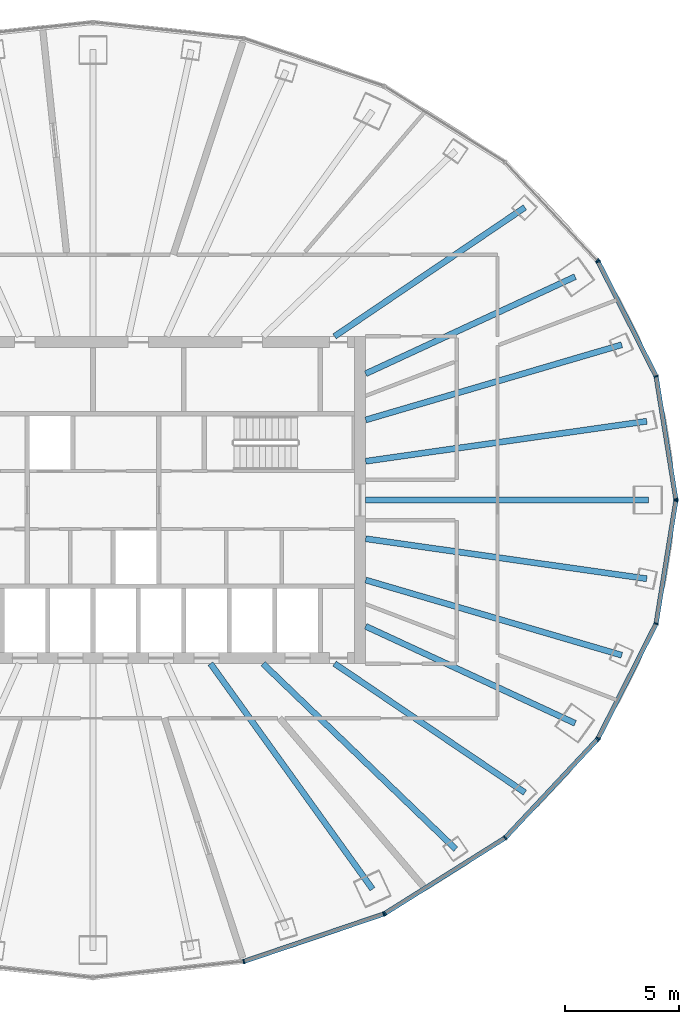
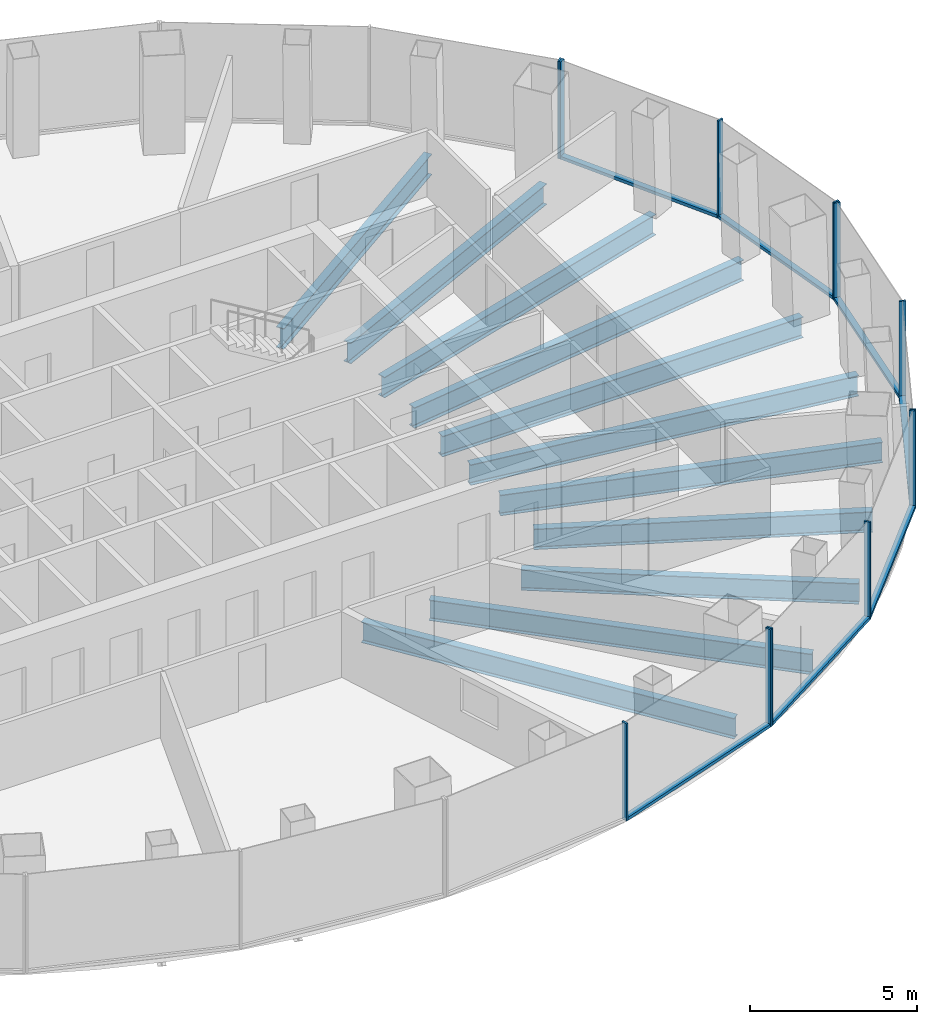
# One storey, part 4 of 12: 19 members, 11 beams, 5 elements without a shape of their own.
"""IFC4 building model written with IfcOpenShell, lengths in metres."""

from ifc_helpers import new_model, si_unit, direction, frame, origin, origin_2d, place, context, subcontext, project, spatial, rectangle, i_section, extrude, material, layer, layer_set, material_profile, profile_set, type_object, element, aggregate, save


model = new_model("IFC4")

# Units and contexts
model_context = context("Model", 3, precision=1e-05, world=origin(), true_north=direction((0.0, 1.0)))
body_context = subcontext(model_context, "Body", "Model", "MODEL_VIEW")
ifc_project = project(units=[si_unit("LENGTHUNIT", "METRE"), si_unit("AREAUNIT", "SQUARE_METRE"), si_unit("VOLUMEUNIT", "CUBIC_METRE"), si_unit("PLANEANGLEUNIT", "RADIAN"), si_unit("MASSUNIT", "GRAM", prefix="KILO")], contexts=[model_context])

# Site, building, storey
site_placement = place(None, origin())
site = spatial("IfcSite", under=ifc_project, at=site_placement, CompositionType="ELEMENT")
building_placement = place(site_placement, origin())
building = spatial("IfcBuilding", under=site, at=building_placement, Name="Siaravel Broadcast Tower", CompositionType="ELEMENT")
storey_placement = place(building_placement, frame((0.0, 0.0, 115.60009765625)))
storey = spatial("IfcBuildingStorey", under=building, at=storey_placement, Name="L27", CompositionType="ELEMENT", Elevation=115.60009765625)

# Beams
ifc_material_1 = material(Name="Steel S355", Category="steel")
ifc_material_profile_1 = material_profile(ifc_material_1, i_section(OverallWidth=0.26513671875, OverallDepth=0.75390625, WebThickness=0.0126953125, FlangeThickness=0.017578125, FilletRadius=0.0166015625, at=origin_2d()))
ifc_profile_set_1 = profile_set([ifc_material_profile_1], Name="Steel S355")
beam_type = type_object("IfcBeamType", Name="BM-UB 762x267x147", PredefinedType="BEAM", material=ifc_profile_set_1)
beam_1_placement = place(storey_placement, frame((24.44140625, 0.0, -0.527099609375), z_axis=(-1.0, 0.0, 0.0), x_axis=(0.0, -1.0, 0.0)))
element("IfcBeam", 1, at=beam_1_placement, inside=storey, type_object=beam_type, Name="Radial beam RB01", PredefinedType="BEAM", context=body_context, shape_type="SweptSolid", body=[
    extrude(i_section(OverallWidth=0.26513671875, OverallDepth=0.75390625, WebThickness=0.0126953125, FlangeThickness=0.017578125, FilletRadius=0.0166015625, at=origin_2d()), origin(), (0.0, 0.0, 1.0), 12.44140625),
])
beam_2_placement = place(storey_placement, frame((24.37109375, 3.464599609375, -0.527099609375), z_axis=(-0.990044616, -0.140753896, 0.0), x_axis=(0.140753896, -0.990044616, 0.0)))
element("IfcBeam", 2, at=beam_2_placement, inside=storey, type_object=beam_type, Name="Radial beam RB02", PredefinedType="BEAM", context=body_context, shape_type="SweptSolid", body=[
    extrude(i_section(OverallWidth=0.26513671875, OverallDepth=0.75390625, WebThickness=0.0126953125, FlangeThickness=0.017578125, FilletRadius=0.0166015625, at=origin_2d()), origin(), (0.0, 0.0, 1.0), 12.49560546875),
])
beam_3_placement = place(storey_placement, frame((23.27001953125, 6.83056640625, -0.527099609375), z_axis=(-0.959517615, -0.281648622, 0.0), x_axis=(0.281648622, -0.959517615, 0.0)))
element("IfcBeam", 3, at=beam_3_placement, inside=storey, type_object=beam_type, Name="Radial beam RB03", PredefinedType="BEAM", context=body_context, shape_type="SweptSolid", body=[
    extrude(i_section(OverallWidth=0.26513671875, OverallDepth=0.75390625, WebThickness=0.0126953125, FlangeThickness=0.017578125, FilletRadius=0.0166015625, at=origin_2d()), origin(), (0.0, 0.0, 1.0), 11.74560546875),
])
beam_4_placement = place(storey_placement, frame((21.22021484375, 9.826904296875, -0.527099609375), z_axis=(-0.907423475, -0.420217369, 0.0), x_axis=(0.420217369, -0.907423475, 0.0)))
element("IfcBeam", 4, at=beam_4_placement, inside=storey, type_object=beam_type, Name="Radial beam RB04", PredefinedType="BEAM", context=body_context, shape_type="SweptSolid", body=[
    extrude(i_section(OverallWidth=0.26513671875, OverallDepth=0.75390625, WebThickness=0.0126953125, FlangeThickness=0.017578125, FilletRadius=0.0166015625, at=origin_2d()), origin(), (0.0, 0.0, 1.0), 10.160888671875),
])
beam_5_placement = place(storey_placement, frame((19.0068359375, 12.87548828125, -0.527099609375), z_axis=(-0.827911102, -0.560859348, 0.0), x_axis=(0.560859348, -0.827911102, 0.0)))
element("IfcBeam", 5, at=beam_5_placement, inside=storey, type_object=beam_type, Name="Radial beam RB05", PredefinedType="BEAM", context=body_context, shape_type="SweptSolid", body=[
    extrude(i_section(OverallWidth=0.26513671875, OverallDepth=0.75390625, WebThickness=0.0126953125, FlangeThickness=0.017578125, FilletRadius=0.0166015625, at=origin_2d()), origin(), (0.0, 0.0, 1.0), 10.119384765625),
])
beam_6_placement = place(storey_placement, frame((12.30029296875, -17.123779296875, -0.527099609375), z_axis=(-0.583402172, 0.812183419, 0.0), x_axis=(-0.812183419, -0.583402172, 0.0)))
element("IfcBeam", 6, at=beam_6_placement, inside=storey, type_object=beam_type, Name="Radial beam RB31", PredefinedType="BEAM", context=body_context, shape_type="SweptSolid", body=[
    extrude(i_section(OverallWidth=0.26513671875, OverallDepth=0.75390625, WebThickness=0.0126953125, FlangeThickness=0.017578125, FilletRadius=0.0166015625, at=origin_2d()), origin(), (0.0, 0.0, 1.0), 12.21875),
])
beam_7_placement = place(storey_placement, frame((15.964599609375, -15.3671875, -0.527099609375), z_axis=(-0.720463289, 0.693493078, 0.0), x_axis=(-0.693493078, -0.720463289, 0.0)))
element("IfcBeam", 7, at=beam_7_placement, inside=storey, type_object=beam_type, Name="Radial beam RB32", PredefinedType="BEAM", context=body_context, shape_type="SweptSolid", body=[
    extrude(i_section(OverallWidth=0.26513671875, OverallDepth=0.75390625, WebThickness=0.0126953125, FlangeThickness=0.017578125, FilletRadius=0.0166015625, at=origin_2d()), origin(), (0.0, 0.0, 1.0), 11.77685546875),
])
beam_8_placement = place(storey_placement, frame((19.0068359375, -12.87548828125, -0.527099609375), z_axis=(-0.827911102, 0.560859348, 0.0), x_axis=(-0.560859348, -0.827911102, 0.0)))
element("IfcBeam", 8, at=beam_8_placement, inside=storey, type_object=beam_type, Name="Radial beam RB33", PredefinedType="BEAM", context=body_context, shape_type="SweptSolid", body=[
    extrude(i_section(OverallWidth=0.26513671875, OverallDepth=0.75390625, WebThickness=0.0126953125, FlangeThickness=0.017578125, FilletRadius=0.0166015625, at=origin_2d()), origin(), (0.0, 0.0, 1.0), 10.119384765625),
])
beam_9_placement = place(storey_placement, frame((21.22021484375, -9.826904296875, -0.527099609375), z_axis=(-0.907423475, 0.420217369, 0.0), x_axis=(-0.420217369, -0.907423475, 0.0)))
element("IfcBeam", 9, at=beam_9_placement, inside=storey, type_object=beam_type, Name="Radial beam RB34", PredefinedType="BEAM", context=body_context, shape_type="SweptSolid", body=[
    extrude(i_section(OverallWidth=0.26513671875, OverallDepth=0.75390625, WebThickness=0.0126953125, FlangeThickness=0.017578125, FilletRadius=0.0166015625, at=origin_2d()), origin(), (0.0, 0.0, 1.0), 10.160888671875),
])
beam_10_placement = place(storey_placement, frame((23.27001953125, -6.83056640625, -0.527099609375), z_axis=(-0.959517615, 0.281648622, 0.0), x_axis=(-0.281648622, -0.959517615, 0.0)))
element("IfcBeam", 10, at=beam_10_placement, inside=storey, type_object=beam_type, Name="Radial beam RB35", PredefinedType="BEAM", context=body_context, shape_type="SweptSolid", body=[
    extrude(i_section(OverallWidth=0.26513671875, OverallDepth=0.75390625, WebThickness=0.0126953125, FlangeThickness=0.017578125, FilletRadius=0.0166015625, at=origin_2d()), origin(), (0.0, 0.0, 1.0), 11.74560546875),
])
beam_11_placement = place(storey_placement, frame((24.37109375, -3.464599609375, -0.527099609375), z_axis=(-0.990044616, 0.140753896, 0.0), x_axis=(-0.140753896, -0.990044616, 0.0)))
element("IfcBeam", 11, at=beam_11_placement, inside=storey, type_object=beam_type, Name="Radial beam RB36", PredefinedType="BEAM", context=body_context, shape_type="SweptSolid", body=[
    extrude(i_section(OverallWidth=0.26513671875, OverallDepth=0.75390625, WebThickness=0.0126953125, FlangeThickness=0.017578125, FilletRadius=0.0166015625, at=origin_2d()), origin(), (0.0, 0.0, 1.0), 12.49560546875),
])

# Curtain wall, members
ifc_material_2 = material(Name="Aluminium 6063-T6", Category="aluminium")
ifc_layer = layer(ifc_material_2, 0.199951171875)
ifc_layer_set = layer_set([ifc_layer], Name="Aluminium 6063-T6")
curtain_wall_type = type_object("IfcCurtainWallType", Name="Unitised curtain wall, zone 2", PredefinedType="NOTDEFINED", material=ifc_layer_set)
curtain_wall_1_placement = place(storey_placement, origin())
curtain_wall_1 = element("IfcCurtainWall", 12, at=curtain_wall_1_placement, inside=storey, type_object=curtain_wall_type, Name="L27 Unitised curtain wall, zone 2 01", PredefinedType="NOTDEFINED")
ifc_material_profile_2 = material_profile(ifc_material_2, rectangle(XDim=0.199951171875, YDim=0.06494140625, at=origin_2d()))
ifc_profile_set_2 = profile_set([ifc_material_profile_2], Name="Aluminium 6063-T6")
member_type_1 = type_object("IfcMemberType", Name="CW-Z2 mullion", PredefinedType="MULLION", material=ifc_profile_set_2)
member_1_placement = place(storey_placement, frame((25.650146484375, 0.031982421875, 0.0), z_axis=(0.0, 0.0, 1.0), x_axis=(-0.987329151, -0.158685687, 0.0)))
member_1 = element("IfcMember", 13, at=member_1_placement, type_object=member_type_1, Name="CW-Z2 mullion 1", PredefinedType="MULLION", context=body_context, shape_type="SweptSolid", body=[
    extrude(rectangle(XDim=0.199951171875, YDim=0.06494140625, at=origin_2d()), origin(), (0.0, 0.0, 1.0), 3.5498046875),
])
member_2_placement = place(storey_placement, frame((24.7802734375, 5.44384765625, 0.0), z_axis=(0.0, 0.0, 1.0), x_axis=(-0.951177123, -0.308645559, 0.0)))
member_2 = element("IfcMember", 14, at=member_2_placement, type_object=member_type_1, Name="CW-Z2 mullion 2", PredefinedType="MULLION", context=body_context, shape_type="SweptSolid", body=[
    extrude(rectangle(XDim=0.199951171875, YDim=0.06494140625, at=origin_2d()), origin(), (0.0, 0.0, 1.0), 3.5498046875),
])
member_3_placement = place(storey_placement, frame((22.23046875, 10.486572265625, 0.0), z_axis=(0.0, 0.0, 1.0), x_axis=(-0.892391899, -0.451261231, 0.0)))
member_3 = element("IfcMember", 15, at=member_3_placement, type_object=member_type_1, Name="CW-Z2 mullion 3", PredefinedType="MULLION", context=body_context, shape_type="SweptSolid", body=[
    extrude(rectangle(XDim=0.199951171875, YDim=0.06494140625, at=origin_2d()), origin(), (0.0, 0.0, 1.0), 3.5498046875),
])

# Curtain wall, member
curtain_wall_2_placement = place(storey_placement, origin())
curtain_wall_2 = element("IfcCurtainWall", 16, at=curtain_wall_2_placement, inside=storey, type_object=curtain_wall_type, Name="L27 Unitised curtain wall, zone 2 02", PredefinedType="NOTDEFINED")
member_4_placement = place(storey_placement, frame((22.193603515625, 10.539306640625, 0.0), z_axis=(0.0, 0.0, 1.0), x_axis=(-0.729804977, -0.683655392, 0.0)))
member_4 = element("IfcMember", 17, at=member_4_placement, type_object=member_type_1, Name="CW-Z2 mullion 1", PredefinedType="MULLION", context=body_context, shape_type="SweptSolid", body=[
    extrude(rectangle(XDim=0.199951171875, YDim=0.06494140625, at=origin_2d()), origin(), (0.0, 0.0, 1.0), 3.5498046875),
])
aggregate(curtain_wall_2, [member_4])

# Curtain wall, members
curtain_wall_3_placement = place(storey_placement, origin())
curtain_wall_3 = element("IfcCurtainWall", 18, at=curtain_wall_3_placement, inside=storey, type_object=curtain_wall_type, Name="L27 Unitised curtain wall, zone 2 10", PredefinedType="NOTDEFINED")
member_5_placement = place(storey_placement, frame((6.637939453125, -20.307861328125, 0.0), z_axis=(0.0, 0.0, 1.0), x_axis=(-0.215557996, 0.97649104, 0.0)))
member_5 = element("IfcMember", 19, at=member_5_placement, type_object=member_type_1, Name="CW-Z2 mullion 2", PredefinedType="MULLION", context=body_context, shape_type="SweptSolid", body=[
    extrude(rectangle(XDim=0.199951171875, YDim=0.06494140625, at=origin_2d()), origin(), (0.0, 0.0, 1.0), 3.5498046875),
])
member_6_placement = place(storey_placement, frame((12.793212890625, -18.21923828125, 0.0), z_axis=(0.0, 0.0, 1.0), x_axis=(-0.321300513, 0.946977286, 0.0)))
member_6 = element("IfcMember", 20, at=member_6_placement, type_object=member_type_1, Name="CW-Z2 mullion 3", PredefinedType="MULLION", context=body_context, shape_type="SweptSolid", body=[
    extrude(rectangle(XDim=0.199951171875, YDim=0.06494140625, at=origin_2d()), origin(), (0.0, 0.0, 1.0), 3.5498046875),
])

curtain_wall_4_placement = place(storey_placement, origin())
curtain_wall_4 = element("IfcCurtainWall", 21, at=curtain_wall_4_placement, inside=storey, type_object=curtain_wall_type, Name="L27 Unitised curtain wall, zone 2 11", PredefinedType="NOTDEFINED")
member_7_placement = place(storey_placement, frame((12.8515625, -18.191650390625, 0.0), z_axis=(0.0, 0.0, 1.0), x_axis=(-0.532149019, 0.846650708, 0.0)))
member_7 = element("IfcMember", 22, at=member_7_placement, type_object=member_type_1, Name="CW-Z2 mullion 1", PredefinedType="MULLION", context=body_context, shape_type="SweptSolid", body=[
    extrude(rectangle(XDim=0.199951171875, YDim=0.06494140625, at=origin_2d()), origin(), (0.0, 0.0, 1.0), 3.5498046875),
])
member_8_placement = place(storey_placement, frame((18.137451171875, -14.869384765625, 0.0), z_axis=(0.0, 0.0, 1.0), x_axis=(-0.63621839, 0.771509015, 0.0)))
member_8 = element("IfcMember", 23, at=member_8_placement, type_object=member_type_1, Name="CW-Z2 mullion 2", PredefinedType="MULLION", context=body_context, shape_type="SweptSolid", body=[
    extrude(rectangle(XDim=0.199951171875, YDim=0.06494140625, at=origin_2d()), origin(), (0.0, 0.0, 1.0), 3.5498046875),
])
member_9_placement = place(storey_placement, frame((22.193603515625, -10.539306640625, 0.0), z_axis=(0.0, 0.0, 1.0), x_axis=(-0.729804977, 0.683655392, 0.0)))
member_9 = element("IfcMember", 24, at=member_9_placement, type_object=member_type_1, Name="CW-Z2 mullion 3", PredefinedType="MULLION", context=body_context, shape_type="SweptSolid", body=[
    extrude(rectangle(XDim=0.199951171875, YDim=0.06494140625, at=origin_2d()), origin(), (0.0, 0.0, 1.0), 3.5498046875),
])

curtain_wall_5_placement = place(storey_placement, origin())
curtain_wall_5 = element("IfcCurtainWall", 25, at=curtain_wall_5_placement, inside=storey, type_object=curtain_wall_type, Name="L27 Unitised curtain wall, zone 2 12", PredefinedType="NOTDEFINED")
member_10_placement = place(storey_placement, frame((22.23046875, -10.486572265625, 0.0), z_axis=(0.0, 0.0, 1.0), x_axis=(-0.892391899, 0.451261231, 0.0)))
member_10 = element("IfcMember", 26, at=member_10_placement, type_object=member_type_1, Name="CW-Z2 mullion 1", PredefinedType="MULLION", context=body_context, shape_type="SweptSolid", body=[
    extrude(rectangle(XDim=0.199951171875, YDim=0.06494140625, at=origin_2d()), origin(), (0.0, 0.0, 1.0), 3.5498046875),
])
member_11_placement = place(storey_placement, frame((24.7802734375, -5.44384765625, 0.0), z_axis=(0.0, 0.0, 1.0), x_axis=(-0.951177123, 0.308645559, 0.0)))
member_11 = element("IfcMember", 27, at=member_11_placement, type_object=member_type_1, Name="CW-Z2 mullion 2", PredefinedType="MULLION", context=body_context, shape_type="SweptSolid", body=[
    extrude(rectangle(XDim=0.199951171875, YDim=0.06494140625, at=origin_2d()), origin(), (0.0, 0.0, 1.0), 3.5498046875),
])
member_12_placement = place(storey_placement, frame((25.650146484375, -0.031982421875, 0.0), z_axis=(0.0, 0.0, 1.0), x_axis=(-0.987329151, 0.158685687, 0.0)))
member_12 = element("IfcMember", 28, at=member_12_placement, type_object=member_type_1, Name="CW-Z2 mullion 3", PredefinedType="MULLION", context=body_context, shape_type="SweptSolid", body=[
    extrude(rectangle(XDim=0.199951171875, YDim=0.06494140625, at=origin_2d()), origin(), (0.0, 0.0, 1.0), 3.5498046875),
])

# Member
ifc_material_profile_3 = material_profile(ifc_material_2, rectangle(XDim=0.199951171875, YDim=0.110107421875, at=origin_2d()))
ifc_profile_set_3 = profile_set([ifc_material_profile_3], Name="Aluminium 6063-T6")
member_type_2 = type_object("IfcMemberType", Name="CW-Z2 transom", PredefinedType="USERDEFINED", material=ifc_profile_set_3)
member_13_placement = place(storey_placement, frame((25.64501953125, 0.064208984375, 0.054931640625), z_axis=(-0.158709481, 0.987325327, 0.0), x_axis=(-0.987325327, -0.158709481, 0.0)))
member_13 = element("IfcMember", 29, at=member_13_placement, type_object=member_type_2, Name="CW-Z2 transom 1", ObjectType="TRANSOM", PredefinedType="USERDEFINED", context=body_context, shape_type="SweptSolid", body=[
    extrude(rectangle(XDim=0.199951171875, YDim=0.110107421875, at=origin_2d()), origin(), (0.0, 0.0, 1.0), 5.416259765625),
])

member_14_placement = place(storey_placement, frame((24.765625, 5.472900390625, 0.054931640625), z_axis=(-0.451247712, 0.892398735, 0.0), x_axis=(-0.892398735, -0.451247712, 0.0)))
member_14 = element("IfcMember", 30, at=member_14_placement, type_object=member_type_2, Name="CW-Z2 transom 2", ObjectType="TRANSOM", PredefinedType="USERDEFINED", context=body_context, shape_type="SweptSolid", body=[
    extrude(rectangle(XDim=0.199951171875, YDim=0.110107421875, at=origin_2d()), origin(), (0.0, 0.0, 1.0), 5.585693359375),
])

aggregate(curtain_wall_1, [member_1, member_2, member_3, member_13, member_14])

member_15_placement = place(storey_placement, frame((6.668701171875, -20.29736328125, 0.054931640625), z_axis=(0.946973753, 0.321310926, 0.0), x_axis=(-0.321310926, 0.946973753, 0.0)))
member_15 = element("IfcMember", 31, at=member_15_placement, type_object=member_type_2, Name="CW-Z2 transom 2", ObjectType="TRANSOM", PredefinedType="USERDEFINED", context=body_context, shape_type="SweptSolid", body=[
    extrude(rectangle(XDim=0.199951171875, YDim=0.110107421875, at=origin_2d()), origin(), (0.0, 0.0, 1.0), 6.43505859375),
])

aggregate(curtain_wall_3, [member_5, member_6, member_15])

member_16_placement = place(storey_placement, frame((12.879150390625, -18.17431640625, 0.054931640625), z_axis=(0.846639093, 0.532167499, 0.0), x_axis=(-0.532167499, 0.846639093, 0.0)))
member_16 = element("IfcMember", 32, at=member_16_placement, type_object=member_type_2, Name="CW-Z2 transom 1", ObjectType="TRANSOM", PredefinedType="USERDEFINED", context=body_context, shape_type="SweptSolid", body=[
    extrude(rectangle(XDim=0.199951171875, YDim=0.110107421875, at=origin_2d()), origin(), (0.0, 0.0, 1.0), 6.17822265625),
])

member_17_placement = place(storey_placement, frame((18.15966796875, -14.845458984375, 0.054931640625), z_axis=(0.683660134, 0.729800536, 0.0), x_axis=(-0.729800536, 0.683660134, 0.0)))
member_17 = element("IfcMember", 33, at=member_17_placement, type_object=member_type_2, Name="CW-Z2 transom 2", ObjectType="TRANSOM", PredefinedType="USERDEFINED", context=body_context, shape_type="SweptSolid", body=[
    extrude(rectangle(XDim=0.199951171875, YDim=0.110107421875, at=origin_2d()), origin(), (0.0, 0.0, 1.0), 5.867919921875),
])

aggregate(curtain_wall_4, [member_7, member_8, member_9, member_16, member_17])

member_18_placement = place(storey_placement, frame((22.2451171875, -10.45751953125, 0.054931640625), z_axis=(0.451247712, 0.892398735, 0.0), x_axis=(-0.892398735, 0.451247712, 0.0)))
member_18 = element("IfcMember", 34, at=member_18_placement, type_object=member_type_2, Name="CW-Z2 transom 1", ObjectType="TRANSOM", PredefinedType="USERDEFINED", context=body_context, shape_type="SweptSolid", body=[
    extrude(rectangle(XDim=0.199951171875, YDim=0.110107421875, at=origin_2d()), origin(), (0.0, 0.0, 1.0), 5.585693359375),
])

member_19_placement = place(storey_placement, frame((24.785400390625, -5.411865234375, 0.054931640625), z_axis=(0.158709481, 0.987325327, 0.0), x_axis=(-0.987325327, 0.158709481, 0.0)))
member_19 = element("IfcMember", 35, at=member_19_placement, type_object=member_type_2, Name="CW-Z2 transom 2", ObjectType="TRANSOM", PredefinedType="USERDEFINED", context=body_context, shape_type="SweptSolid", body=[
    extrude(rectangle(XDim=0.199951171875, YDim=0.110107421875, at=origin_2d()), origin(), (0.0, 0.0, 1.0), 5.416259765625),
])

aggregate(curtain_wall_5, [member_10, member_11, member_12, member_18, member_19])

save(model, "model.ifc")
